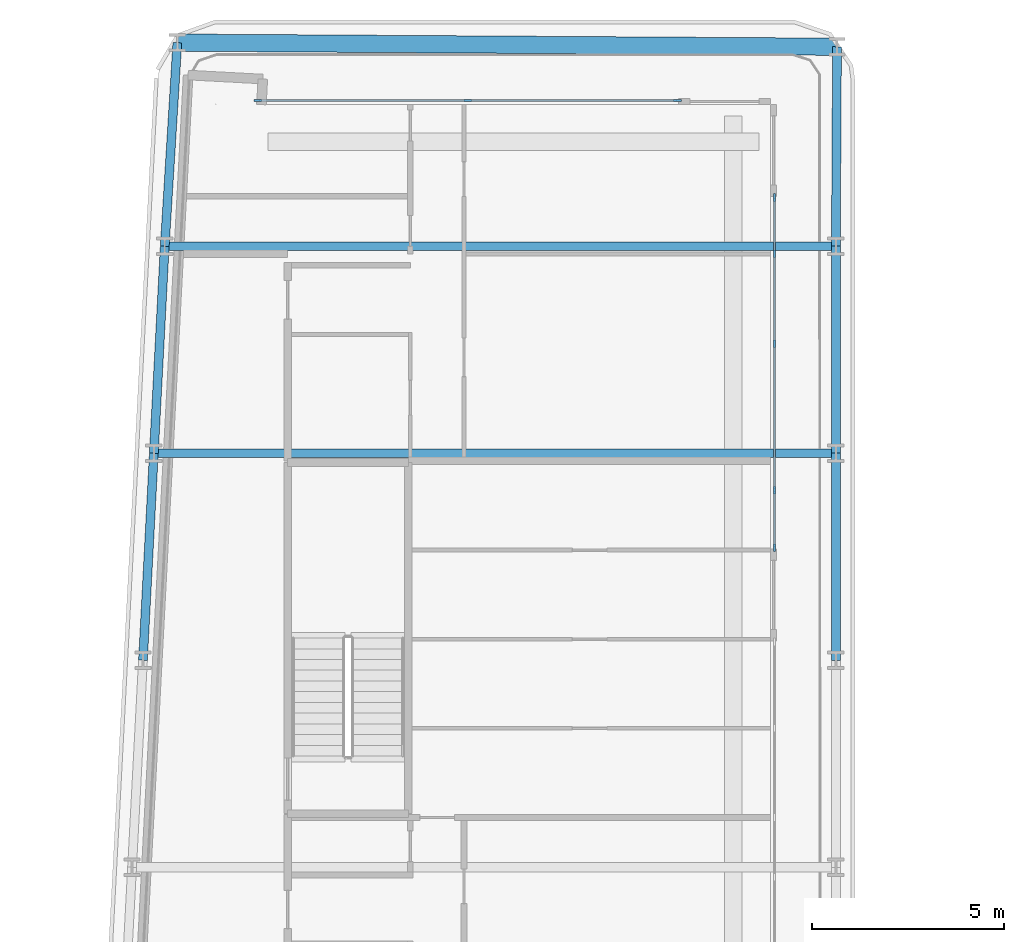
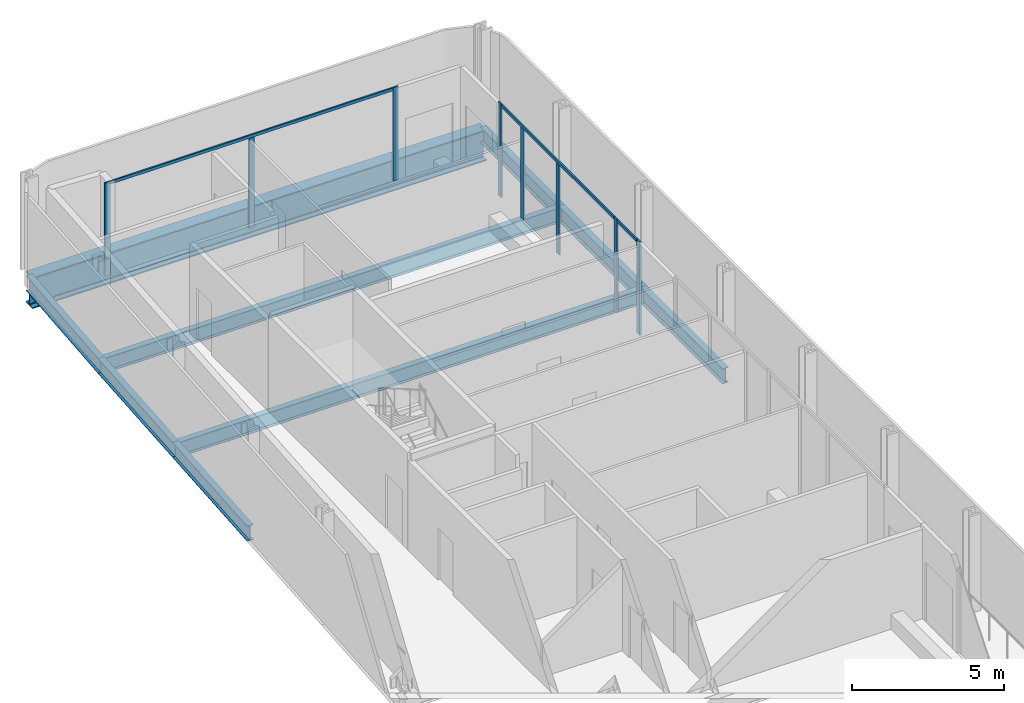
# One storey, part 9 of 27: 11 members, 9 beams, 3 elements without a shape of their own.
"""IFC4 building model written with IfcOpenShell, lengths in metres."""

from ifc_helpers import new_model, si_unit, direction, frame, origin, origin_2d, place, context, subcontext, project, spatial, rectangle, i_section, extrude, material, layer, layer_set, material_profile, profile_set, type_object, element, aggregate, save


model = new_model("IFC4")

# Units and contexts
model_context = context("Model", 3, precision=1e-05, world=origin(), true_north=direction((0.0, 1.0)))
body_context = subcontext(model_context, "Body", "Model", "MODEL_VIEW")
ifc_project = project(units=[si_unit("LENGTHUNIT", "METRE"), si_unit("AREAUNIT", "SQUARE_METRE"), si_unit("VOLUMEUNIT", "CUBIC_METRE"), si_unit("PLANEANGLEUNIT", "RADIAN"), si_unit("MASSUNIT", "GRAM", prefix="KILO")], contexts=[model_context])

# Site, building, storey
site_placement = place(None, origin())
site = spatial("IfcSite", under=ifc_project, at=site_placement, CompositionType="ELEMENT")
building_placement = place(site_placement, origin())
building = spatial("IfcBuilding", under=site, at=building_placement, Name="Kheshtan School and Residences Tower", CompositionType="ELEMENT")
storey_placement = place(building_placement, frame((0.0, 0.0, 57.800048828125)))
storey = spatial("IfcBuildingStorey", under=building, at=storey_placement, Name="L13", CompositionType="ELEMENT", Elevation=57.800048828125)

# Beams
ifc_material_1 = material(Name="Steel ASTM A992 Grade 50", Category="steel")
ifc_material_profile_1 = material_profile(ifc_material_1, i_section(OverallWidth=0.22802734375, OverallDepth=0.60302734375, WebThickness=0.010498046875, FlangeThickness=0.014892578125, FilletRadius=0.013427734375, at=origin_2d()), Name="W610x101")
ifc_profile_set_1 = profile_set([ifc_material_profile_1], Name="Steel ASTM A992 Grade 50")
beam_type_1 = type_object("IfcBeamType", Name="Beam FB5 W610x101 ASTM A992 Grade 50", PredefinedType="BEAM", material=ifc_profile_set_1)
beam_1_placement = place(storey_placement, frame((47.60009765625, 94.199951171875, -0.45166015625), z_axis=(-1.0, 0.0, 0.0), x_axis=(0.0, -1.0, 0.0)))
element("IfcBeam", 1, at=beam_1_placement, inside=storey, type_object=beam_type_1, Name="Floor beam C107", PredefinedType="BEAM", context=body_context, shape_type="SweptSolid", body=[
    extrude(i_section(OverallWidth=0.22802734375, OverallDepth=0.60302734375, WebThickness=0.010498046875, FlangeThickness=0.014892578125, FilletRadius=0.013427734375, at=origin_2d()), origin(), (0.0, 0.0, 1.0), 17.505126953125),
])
beam_2_placement = place(storey_placement, frame((29.81103515625, 88.800048828125, -0.45166015625), z_axis=(1.0, 0.0, 0.0), x_axis=(0.0, 1.0, 0.0)))
element("IfcBeam", 2, at=beam_2_placement, inside=storey, type_object=beam_type_1, Name="Floor beam C098", PredefinedType="BEAM", context=body_context, shape_type="SweptSolid", body=[
    extrude(i_section(OverallWidth=0.22802734375, OverallDepth=0.60302734375, WebThickness=0.010498046875, FlangeThickness=0.014892578125, FilletRadius=0.013427734375, at=origin_2d()), origin(), (0.0, 0.0, 1.0), 17.7890625),
])
ifc_material_profile_2 = material_profile(ifc_material_1, i_section(OverallWidth=0.22998046875, OverallDepth=0.616943359375, WebThickness=0.01318359375, FlangeThickness=0.022216796875, FilletRadius=0.0185546875, at=origin_2d()), Name="W610x140")
ifc_profile_set_2 = profile_set([ifc_material_profile_2], Name="Steel ASTM A992 Grade 50")
beam_type_2 = type_object("IfcBeamType", Name="Beam SP1 W610x140 ASTM A992 Grade 50", PredefinedType="BEAM", material=ifc_profile_set_2)
beam_3_placement = place(storey_placement, frame((47.6298828125, 99.402099609375, -0.45849609375), z_axis=(-0.005725455245, -0.999983609447, 0.0), x_axis=(0.999983609447, -0.005725455245, 0.0)))
element("IfcBeam", 3, at=beam_3_placement, inside=storey, type_object=beam_type_2, Name="Spandrel beam C113-C107", PredefinedType="BEAM", context=body_context, shape_type="SweptSolid", body=[
    extrude(i_section(OverallWidth=0.22998046875, OverallDepth=0.616943359375, WebThickness=0.01318359375, FlangeThickness=0.022216796875, FilletRadius=0.0185546875, at=origin_2d()), origin(), (0.0, 0.0, 1.0), 5.2021484375),
])
beam_4_placement = place(storey_placement, frame((47.60009765625, 94.199951171875, -0.45849609375), z_axis=(0.0, -1.0, 0.0), x_axis=(1.0, 0.0, 0.0)))
element("IfcBeam", 4, at=beam_4_placement, inside=storey, type_object=beam_type_2, Name="Spandrel beam C107-C099", PredefinedType="BEAM", context=body_context, shape_type="SweptSolid", body=[
    extrude(i_section(OverallWidth=0.22998046875, OverallDepth=0.616943359375, WebThickness=0.01318359375, FlangeThickness=0.022216796875, FilletRadius=0.0185546875, at=origin_2d()), origin(), (0.0, 0.0, 1.0), 5.39990234375),
])
beam_5_placement = place(storey_placement, frame((47.60009765625, 88.800048828125, -0.45849609375), z_axis=(0.0, -1.0, 0.0), x_axis=(1.0, 0.0, 0.0)))
element("IfcBeam", 5, at=beam_5_placement, inside=storey, type_object=beam_type_2, Name="Spandrel beam C099-C091", PredefinedType="BEAM", context=body_context, shape_type="SweptSolid", body=[
    extrude(i_section(OverallWidth=0.22998046875, OverallDepth=0.616943359375, WebThickness=0.01318359375, FlangeThickness=0.022216796875, FilletRadius=0.0185546875, at=origin_2d()), origin(), (0.0, 0.0, 1.0), 5.400146484375),
])
beam_6_placement = place(storey_placement, frame((29.527099609375, 83.39990234375, -0.45849609375), z_axis=(0.05250670125, 0.998620571751, 0.0), x_axis=(-0.998620571751, 0.05250670125, 0.0)))
element("IfcBeam", 6, at=beam_6_placement, inside=storey, type_object=beam_type_2, Name="Spandrel beam C090-C098", PredefinedType="BEAM", context=body_context, shape_type="SweptSolid", body=[
    extrude(i_section(OverallWidth=0.22998046875, OverallDepth=0.616943359375, WebThickness=0.01318359375, FlangeThickness=0.022216796875, FilletRadius=0.0185546875, at=origin_2d()), origin(), (0.0, 0.0, 1.0), 5.40771484375),
])
beam_7_placement = place(storey_placement, frame((29.81103515625, 88.800048828125, -0.45849609375), z_axis=(0.05250906864, 0.998620447272, 0.0), x_axis=(-0.998620447272, 0.05250906864, 0.0)))
element("IfcBeam", 7, at=beam_7_placement, inside=storey, type_object=beam_type_2, Name="Spandrel beam C098-C106", PredefinedType="BEAM", context=body_context, shape_type="SweptSolid", body=[
    extrude(i_section(OverallWidth=0.22998046875, OverallDepth=0.616943359375, WebThickness=0.01318359375, FlangeThickness=0.022216796875, FilletRadius=0.0185546875, at=origin_2d()), origin(), (0.0, 0.0, 1.0), 5.407470703125),
])
beam_8_placement = place(storey_placement, frame((30.094970703125, 94.199951171875, -0.45849609375), z_axis=(0.061858321816, 0.998084940284, 0.0), x_axis=(-0.998084940284, 0.061858321816, 0.0)))
element("IfcBeam", 8, at=beam_8_placement, inside=storey, type_object=beam_type_2, Name="Spandrel beam C106-C121", PredefinedType="BEAM", context=body_context, shape_type="SweptSolid", body=[
    extrude(i_section(OverallWidth=0.22998046875, OverallDepth=0.616943359375, WebThickness=0.01318359375, FlangeThickness=0.022216796875, FilletRadius=0.0185546875, at=origin_2d()), origin(), (0.0, 0.0, 1.0), 5.3203125),
])

# Curtain wall, members
ifc_material_2 = material(Name="Clear low-e glass in thermally broken aluminium frame", Category="aluminium")
ifc_layer = layer(ifc_material_2, 0.199951171875)
ifc_layer_set = layer_set([ifc_layer], Name="Curtain wall CW-L")
curtain_wall_type = type_object("IfcCurtainWallType", Name="Curtain wall CW-L", PredefinedType="NOTDEFINED", material=ifc_layer_set)
curtain_wall_1_placement = place(storey_placement, origin())
curtain_wall_1 = element("IfcCurtainWall", 9, at=curtain_wall_1_placement, inside=storey, type_object=curtain_wall_type, Name="Curtain wall CWL7", PredefinedType="NOTDEFINED")
ifc_material_3 = material(Name="Thermally broken aluminium, dark bronze anodised", Category="aluminium")
ifc_material_profile_3 = material_profile(ifc_material_3, rectangle(XDim=0.06005859375, YDim=0.199951171875, at=origin_2d()), Name="CW-L mullion 60x200")
ifc_profile_set_3 = profile_set([ifc_material_profile_3], Name="Thermally broken aluminium, dark bronze anodised")
member_type_1 = type_object("IfcMemberType", Name="CW-L mullion 60x200", PredefinedType="MULLION", material=ifc_profile_set_3)
member_1_placement = place(storey_placement, frame((32.52197265625, 98.0, 0.0), z_axis=(0.0, 0.0, 1.0), x_axis=(0.0, 1.0, 0.0)))
member_1 = element("IfcMember", 10, at=member_1_placement, type_object=member_type_1, Name="CWL7 mullion 1", PredefinedType="MULLION", context=body_context, shape_type="SweptSolid", body=[
    extrude(rectangle(XDim=0.06005859375, YDim=0.199951171875, at=origin_2d()), origin(), (0.0, 0.0, 1.0), 3.75),
])
member_2_placement = place(storey_placement, frame((37.99609375, 98.0, 0.0), z_axis=(0.0, 0.0, 1.0), x_axis=(0.0, 1.0, 0.0)))
member_2 = element("IfcMember", 11, at=member_2_placement, type_object=member_type_1, Name="CWL7 mullion 2", PredefinedType="MULLION", context=body_context, shape_type="SweptSolid", body=[
    extrude(rectangle(XDim=0.06005859375, YDim=0.199951171875, at=origin_2d()), origin(), (0.0, 0.0, 1.0), 3.6298828125),
])
member_3_placement = place(storey_placement, frame((43.469970703125, 98.0, 0.0), z_axis=(0.0, 0.0, 1.0), x_axis=(0.0, 1.0, 0.0)))
member_3 = element("IfcMember", 12, at=member_3_placement, type_object=member_type_1, Name="CWL7 mullion 3", PredefinedType="MULLION", context=body_context, shape_type="SweptSolid", body=[
    extrude(rectangle(XDim=0.06005859375, YDim=0.199951171875, at=origin_2d()), origin(), (0.0, 0.0, 1.0), 3.75),
])

curtain_wall_2_placement = place(storey_placement, origin())
curtain_wall_2 = element("IfcCurtainWall", 13, at=curtain_wall_2_placement, inside=storey, type_object=curtain_wall_type, Name="Curtain wall CWL8c", PredefinedType="NOTDEFINED")
member_4_placement = place(storey_placement, frame((46.0, 95.469970703125, 0.0), z_axis=(0.0, 0.0, 1.0), x_axis=(1.0, 0.0, 0.0)))
member_4 = element("IfcMember", 14, at=member_4_placement, type_object=member_type_1, Name="CWL8c mullion 1", PredefinedType="MULLION", context=body_context, shape_type="SweptSolid", body=[
    extrude(rectangle(XDim=0.06005859375, YDim=0.199951171875, at=origin_2d()), origin(), (0.0, 0.0, 1.0), 3.75),
])
member_5_placement = place(storey_placement, frame((46.0, 94.0, 0.0), z_axis=(0.0, 0.0, 1.0), x_axis=(1.0, 0.0, 0.0)))
member_5 = element("IfcMember", 15, at=member_5_placement, type_object=member_type_1, Name="CWL8c mullion 2", PredefinedType="MULLION", context=body_context, shape_type="SweptSolid", body=[
    extrude(rectangle(XDim=0.06005859375, YDim=0.199951171875, at=origin_2d()), origin(), (0.0, 0.0, 1.0), 3.6298828125),
])
member_6_placement = place(storey_placement, frame((46.0, 91.653076171875, 0.0), z_axis=(0.0, 0.0, 1.0), x_axis=(1.0, 0.0, 0.0)))
member_6 = element("IfcMember", 16, at=member_6_placement, type_object=member_type_1, Name="CWL8c mullion 3", PredefinedType="MULLION", context=body_context, shape_type="SweptSolid", body=[
    extrude(rectangle(XDim=0.06005859375, YDim=0.199951171875, at=origin_2d()), origin(), (0.0, 0.0, 1.0), 3.6298828125),
])
member_7_placement = place(storey_placement, frame((46.0, 87.8359375, 0.0), z_axis=(0.0, 0.0, 1.0), x_axis=(1.0, 0.0, 0.0)))
member_7 = element("IfcMember", 17, at=member_7_placement, type_object=member_type_1, Name="CWL8c mullion 4", PredefinedType="MULLION", context=body_context, shape_type="SweptSolid", body=[
    extrude(rectangle(XDim=0.06005859375, YDim=0.199951171875, at=origin_2d()), origin(), (0.0, 0.0, 1.0), 3.75),
])

# Curtain wall, member
curtain_wall_3_placement = place(storey_placement, origin())
curtain_wall_3 = element("IfcCurtainWall", 18, at=curtain_wall_3_placement, inside=storey, type_object=curtain_wall_type, Name="Curtain wall CWL8a", PredefinedType="NOTDEFINED")
member_8_placement = place(storey_placement, frame((46.0, 86.3359375, 0.0), z_axis=(0.0, 0.0, 1.0), x_axis=(1.0, 0.0, 0.0)))
member_8 = element("IfcMember", 19, at=member_8_placement, type_object=member_type_1, Name="CWL8a mullion 2", PredefinedType="MULLION", context=body_context, shape_type="SweptSolid", body=[
    extrude(rectangle(XDim=0.06005859375, YDim=0.199951171875, at=origin_2d()), origin(), (0.0, 0.0, 1.0), 3.75),
])

# Member
ifc_material_profile_4 = material_profile(ifc_material_3, rectangle(XDim=0.06005859375, YDim=0.1201171875, at=origin_2d()), Name="CW-L transom 60x120")
ifc_profile_set_4 = profile_set([ifc_material_profile_4], Name="Thermally broken aluminium, dark bronze anodised")
member_type_2 = type_object("IfcMemberType", Name="CW-L transom 60x120", PredefinedType="USERDEFINED", material=ifc_profile_set_4)
member_9_placement = place(storey_placement, frame((32.552001953125, 98.0, 3.68994140625), z_axis=(1.0, 0.0, 0.0), x_axis=(0.0, 1.0, 0.0)))
member_9 = element("IfcMember", 20, at=member_9_placement, type_object=member_type_2, Name="CWL7 transom 1", ObjectType="TRANSOM", PredefinedType="USERDEFINED", context=body_context, shape_type="SweptSolid", body=[
    extrude(rectangle(XDim=0.06005859375, YDim=0.1201171875, at=origin_2d()), origin(), (0.0, 0.0, 1.0), 10.887939453125),
])

aggregate(curtain_wall_1, [member_1, member_2, member_3, member_9])

member_10_placement = place(storey_placement, frame((46.0, 95.43994140625, 3.68994140625), z_axis=(0.0, -1.0, 0.0), x_axis=(1.0, 0.0, 0.0)))
member_10 = element("IfcMember", 21, at=member_10_placement, type_object=member_type_2, Name="CWL8c transom 1", ObjectType="TRANSOM", PredefinedType="USERDEFINED", context=body_context, shape_type="SweptSolid", body=[
    extrude(rectangle(XDim=0.06005859375, YDim=0.1201171875, at=origin_2d()), origin(), (0.0, 0.0, 1.0), 7.573974609375),
])

aggregate(curtain_wall_2, [member_4, member_5, member_6, member_7, member_10])

member_11_placement = place(storey_placement, frame((46.0, 87.805908203125, 3.68994140625), z_axis=(0.0, -1.0, 0.0), x_axis=(1.0, 0.0, 0.0)))
member_11 = element("IfcMember", 22, at=member_11_placement, type_object=member_type_2, Name="CWL8a transom 1", ObjectType="TRANSOM", PredefinedType="USERDEFINED", context=body_context, shape_type="SweptSolid", body=[
    extrude(rectangle(XDim=0.06005859375, YDim=0.1201171875, at=origin_2d()), origin(), (0.0, 0.0, 1.0), 1.43994140625),
])

aggregate(curtain_wall_3, [member_8, member_11])

# Beam
ifc_material_profile_5 = material_profile(ifc_material_1, i_section(OverallWidth=0.449951171875, OverallDepth=1.25, WebThickness=0.02490234375, FlangeThickness=0.044921875, FilletRadius=0.03759765625, at=origin_2d()), Name="WWF1250x546")
ifc_profile_set_5 = profile_set([ifc_material_profile_5], Name="Steel ASTM A992 Grade 50")
beam_type_3 = type_object("IfcBeamType", Name="Transfer girder TG4 WWF1250x546 ASTM A992 Grade 50", PredefinedType="BEAM", material=ifc_profile_set_5)
beam_9_placement = place(storey_placement, frame((30.424072265625, 99.510009765625, -0.775146484375), z_axis=(0.999980333297, -0.006271604219, 0.0), x_axis=(0.006271604219, 0.999980333297, 0.0)))
element("IfcBeam", 23, at=beam_9_placement, inside=storey, type_object=beam_type_3, Name="Transfer girder C121-C113", PredefinedType="BEAM", context=body_context, shape_type="SweptSolid", body=[
    extrude(i_section(OverallWidth=0.449951171875, OverallDepth=1.25, WebThickness=0.02490234375, FlangeThickness=0.044921875, FilletRadius=0.03759765625, at=origin_2d()), origin(), (0.0, 0.0, 1.0), 17.2060546875),
])

save(model, "model.ifc")
